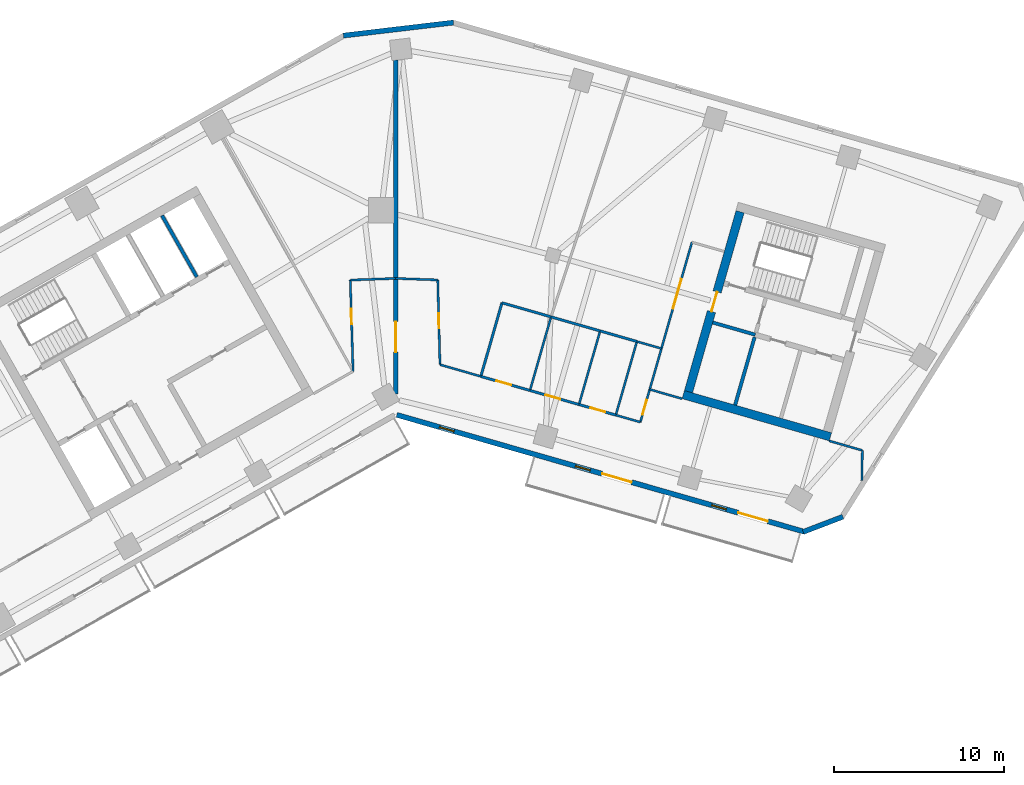
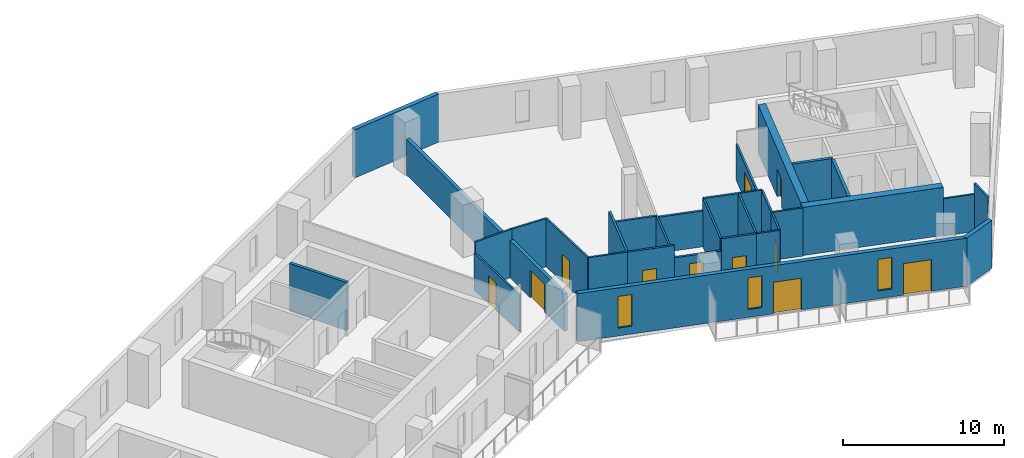
# One storey, part 5 of 9: 33 walls, 11 doors, 3 windows, 14 openings.
"""IFC4 building model written with IfcOpenShell, lengths in metres."""

from ifc_helpers import new_model, si_unit, direction, frame, frame_2d, origin, place, context, subcontext, project, spatial, rectangle, extrude, material, layer, layer_set, type_object, element, fill, save


model = new_model("IFC4")

# Units and contexts
model_context = context("Model", 3, precision=1e-05, world=origin(), true_north=direction((0.0, 1.0)))
body_context = subcontext(model_context, "Body", "Model", "MODEL_VIEW")
ifc_project = project(units=[si_unit("LENGTHUNIT", "METRE"), si_unit("AREAUNIT", "SQUARE_METRE"), si_unit("VOLUMEUNIT", "CUBIC_METRE"), si_unit("PLANEANGLEUNIT", "RADIAN"), si_unit("MASSUNIT", "GRAM", prefix="KILO")], contexts=[model_context])

# Site, building, storey
site_placement = place(None, origin())
site = spatial("IfcSite", under=ifc_project, at=site_placement, CompositionType="ELEMENT")
building_placement = place(site_placement, origin())
building = spatial("IfcBuilding", under=site, at=building_placement, Name="Binnacle Exchange Tower", CompositionType="ELEMENT")
storey_placement = place(building_placement, frame((0.0, 0.0, 198.89990234375)))
storey = spatial("IfcBuildingStorey", under=building, at=storey_placement, Name="L43", CompositionType="ELEMENT", Elevation=198.89990234375)

# Wall
ifc_material_1 = material(Name="Concrete C70/85", Category="concrete")
ifc_layer_1 = layer(ifc_material_1, 0.5)
ifc_layer_set_1 = layer_set([ifc_layer_1], Name="Core wall - outer 500")
wall_type_1 = type_object("IfcWallType", Name="Core wall - outer 500", PredefinedType="SOLIDWALL", material=ifc_layer_set_1)
wall_1_placement = place(storey_placement, frame((16.896728515625, 49.173095703125, 0.0), z_axis=(0.0, 0.0, 1.0), x_axis=(0.96126248289, -0.275634611374, 0.0)))
element("IfcWall", 1, at=wall_1_placement, inside=storey, type_object=wall_type_1, Name="Core wall CRWD1", PredefinedType="SOLIDWALL", context=body_context, shape_type="SweptSolid", body=[
    extrude(rectangle(XDim=9.0, YDim=0.5, at=frame_2d((4.5, 0.0))), origin(), (0.0, 0.0, 1.0), 3.650146484375),
])

# Wall, opening, door
wall_2_placement = place(storey_placement, frame((17.2060546875, 49.344482421875, 0.0), z_axis=(0.0, 0.0, 1.0), x_axis=(0.275632651182, 0.961263044958, 0.0)))
wall_2 = element("IfcWall", 2, at=wall_2_placement, inside=storey, type_object=wall_type_1, Name="Core wall CRWD7", PredefinedType="SOLIDWALL", context=body_context, shape_type="SweptSolid", body=[
    extrude(rectangle(XDim=11.0, YDim=0.5, at=frame_2d((5.5, 0.0))), origin(), (0.0, 0.0, 1.0), 3.650146484375),
])
opening_1_placement = place(wall_2_placement, frame((4.89990234375, 0.0, 0.0)))
opening_1 = element("IfcOpeningElement", 3, at=opening_1_placement, cuts=wall_2, Name="Opening DD5", PredefinedType="OPENING", context=body_context, shape_type="SweptSolid", body=[
    extrude(rectangle(XDim=1.199951171875, YDim=2.10009765625, at=frame_2d((0.60009765625, 1.050048828125))), frame((0.0, 0.260009765625, 0.0), z_axis=(0.0, -1.0, 0.0), x_axis=(1.0, 0.0, 0.0)), (0.0, 0.0, 1.0), 0.52001953125),
])
ifc_material_2 = material(Name="Steel door leaf", Category="steel")
door_type_1 = type_object("IfcDoorType", Name="Fire door 1200", OperationType="NOTDEFINED", PredefinedType="DOOR", material=ifc_material_2)
door_1_placement = place(opening_1_placement, origin())
door_1 = element("IfcDoor", 4, at=door_1_placement, inside=storey, type_object=door_type_1, Name="Vestibule exit door VEST-W", OperationType="SINGLE_SWING_LEFT", OverallHeight=2.10009765625, OverallWidth=1.199951171875, PredefinedType="DOOR", context=body_context, shape_type="SweptSolid", body=[
    extrude(rectangle(XDim=1.199951171875, YDim=2.10009765625, at=frame_2d((0.60009765625, 1.050048828125))), frame((0.0, 0.02490234375, 0.0), z_axis=(0.0, -1.0, 0.0), x_axis=(1.0, 0.0, 0.0)), (0.0, 0.0, 1.0), 0.050048828125),
])
fill(opening_1, door_1)

# Wall, openings, doors, windows
ifc_material_3 = material(Name="Bronze aluminium cladding", Category="aluminium")
ifc_layer_2 = layer(ifc_material_3, 0.300048828125)
ifc_layer_set_2 = layer_set([ifc_layer_2], Name="External wall - spandrel 300")
wall_type_2 = type_object("IfcWallType", Name="External wall - spandrel 300", PredefinedType="STANDARD", material=ifc_layer_set_2)
wall_3_placement = place(storey_placement, frame((24.04248046875, 41.10595703125, 0.0), z_axis=(0.0, 0.0, 1.0), x_axis=(-0.961261693976, 0.275637362661, 0.0)))
wall_3 = element("IfcWall", 5, at=wall_3_placement, inside=storey, type_object=wall_type_2, Name="External wall EW-G02 L43", PredefinedType="STANDARD", context=body_context, shape_type="SweptSolid", body=[
    extrude(rectangle(XDim=24.948486328125, YDim=0.300048828125, at=frame_2d((12.47412109375, 0.0))), origin(), (0.0, 0.0, 1.0), 3.650146484375),
])
opening_2_placement = place(wall_3_placement, frame((21.441162109375, 0.0, 0.60009765625)))
opening_2 = element("IfcOpeningElement", 6, at=opening_2_placement, cuts=wall_3, Name="Opening WS3", PredefinedType="OPENING", context=body_context, shape_type="SweptSolid", body=[
    extrude(rectangle(XDim=0.89990234375, YDim=2.39990234375, at=frame_2d((0.449951171875, 1.199951171875))), frame((0.0, 0.159912109375, 0.0), z_axis=(0.0, -1.0, 0.0), x_axis=(1.0, 0.0, 0.0)), (0.0, 0.0, 1.0), 0.320068359375),
])
opening_3_placement = place(wall_3_placement, frame((13.120849609375, 0.0, 0.60009765625)))
opening_3 = element("IfcOpeningElement", 7, at=opening_3_placement, cuts=wall_3, Name="Opening WS3", PredefinedType="OPENING", context=body_context, shape_type="SweptSolid", body=[
    extrude(rectangle(XDim=0.89990234375, YDim=2.39990234375, at=frame_2d((0.449951171875, 1.199951171875))), frame((0.0, 0.159912109375, 0.0), z_axis=(0.0, -1.0, 0.0), x_axis=(1.0, 0.0, 0.0)), (0.0, 0.0, 1.0), 0.320068359375),
])
opening_4_placement = place(wall_3_placement, frame((10.5908203125, 0.0, 0.0)))
opening_4 = element("IfcOpeningElement", 8, at=opening_4_placement, cuts=wall_3, Name="Opening D-FS11-06", PredefinedType="OPENING", context=body_context, shape_type="SweptSolid", body=[
    extrude(rectangle(XDim=1.800048828125, YDim=2.39990234375, at=frame_2d((0.89990234375, 1.199951171875))), frame((0.0, 0.159912109375, 0.0), z_axis=(0.0, -1.0, 0.0), x_axis=(1.0, 0.0, 0.0)), (0.0, 0.0, 1.0), 0.320068359375),
])
opening_5_placement = place(wall_3_placement, frame((4.80029296875, 0.0, 0.60009765625)))
opening_5 = element("IfcOpeningElement", 9, at=opening_5_placement, cuts=wall_3, Name="Opening WS3", PredefinedType="OPENING", context=body_context, shape_type="SweptSolid", body=[
    extrude(rectangle(XDim=0.89990234375, YDim=2.39990234375, at=frame_2d((0.449951171875, 1.199951171875))), frame((0.0, 0.159912109375, 0.0), z_axis=(0.0, -1.0, 0.0), x_axis=(1.0, 0.0, 0.0)), (0.0, 0.0, 1.0), 0.320068359375),
])
opening_6_placement = place(wall_3_placement, frame((2.270263671875, 0.0, 0.0)))
opening_6 = element("IfcOpeningElement", 10, at=opening_6_placement, cuts=wall_3, Name="Opening D-FS11-07", PredefinedType="OPENING", context=body_context, shape_type="SweptSolid", body=[
    extrude(rectangle(XDim=1.800048828125, YDim=2.39990234375, at=frame_2d((0.89990234375, 1.199951171875))), frame((0.0, 0.159912109375, 0.0), z_axis=(0.0, -1.0, 0.0), x_axis=(1.0, 0.0, 0.0)), (0.0, 0.0, 1.0), 0.320068359375),
])
ifc_material_4 = material(Name="Bronze anodised aluminium frame", Category="aluminium")
door_type_2 = type_object("IfcDoorType", Name="DB DOOR 1800x2400", OperationType="DOUBLE_DOOR_SINGLE_SWING", PredefinedType="DOOR", material=ifc_material_4)
door_2_placement = place(opening_4_placement, origin())
door_2 = element("IfcDoor", 11, at=door_2_placement, inside=storey, type_object=door_type_2, Name="Door D-FS11-06 L43", OperationType="DOUBLE_DOOR_SINGLE_SWING", OverallHeight=2.39990234375, OverallWidth=1.800048828125, PredefinedType="DOOR", context=body_context, shape_type="SweptSolid", body=[
    extrude(rectangle(XDim=1.800048828125, YDim=2.39990234375, at=frame_2d((0.89990234375, 1.199951171875))), frame((0.0, 0.02490234375, 0.0), z_axis=(0.0, -1.0, 0.0), x_axis=(1.0, 0.0, 0.0)), (0.0, 0.0, 1.0), 0.050048828125),
])
fill(opening_4, door_2)
door_3_placement = place(opening_6_placement, origin())
door_3 = element("IfcDoor", 12, at=door_3_placement, inside=storey, type_object=door_type_2, Name="Door D-FS11-07 L43", OperationType="DOUBLE_DOOR_SINGLE_SWING", OverallHeight=2.39990234375, OverallWidth=1.800048828125, PredefinedType="DOOR", context=body_context, shape_type="SweptSolid", body=[
    extrude(rectangle(XDim=1.800048828125, YDim=2.39990234375, at=frame_2d((0.89990234375, 1.199951171875))), frame((0.0, 0.02490234375, 0.0), z_axis=(0.0, -1.0, 0.0), x_axis=(1.0, 0.0, 0.0)), (0.0, 0.0, 1.0), 0.050048828125),
])
fill(opening_6, door_3)
window_type = type_object("IfcWindowType", Name="WS3 WINDOW 900x2400", PartitioningType="SINGLE_PANEL", PredefinedType="WINDOW", material=ifc_material_4)
window_1_placement = place(opening_2_placement, origin())
window_1 = element("IfcWindow", 13, at=window_1_placement, inside=storey, type_object=window_type, Name="Window WS3 L43", OverallHeight=2.39990234375, OverallWidth=0.89990234375, PartitioningType="SINGLE_PANEL", PredefinedType="WINDOW", context=body_context, shape_type="SweptSolid", body=[
    extrude(rectangle(XDim=0.89990234375, YDim=2.39990234375, at=frame_2d((0.449951171875, 1.199951171875))), frame((0.0, 0.030029296875, 0.0), z_axis=(0.0, -1.0, 0.0), x_axis=(1.0, 0.0, 0.0)), (0.0, 0.0, 1.0), 0.06005859375),
])
fill(opening_2, window_1)
window_2_placement = place(opening_3_placement, origin())
window_2 = element("IfcWindow", 14, at=window_2_placement, inside=storey, type_object=window_type, Name="Window WS3 L43", OverallHeight=2.39990234375, OverallWidth=0.89990234375, PartitioningType="SINGLE_PANEL", PredefinedType="WINDOW", context=body_context, shape_type="SweptSolid", body=[
    extrude(rectangle(XDim=0.89990234375, YDim=2.39990234375, at=frame_2d((0.449951171875, 1.199951171875))), frame((0.0, 0.030029296875, 0.0), z_axis=(0.0, -1.0, 0.0), x_axis=(1.0, 0.0, 0.0)), (0.0, 0.0, 1.0), 0.06005859375),
])
fill(opening_3, window_2)
window_3_placement = place(opening_5_placement, origin())
window_3 = element("IfcWindow", 15, at=window_3_placement, inside=storey, type_object=window_type, Name="Window WS3 L43", OverallHeight=2.39990234375, OverallWidth=0.89990234375, PartitioningType="SINGLE_PANEL", PredefinedType="WINDOW", context=body_context, shape_type="SweptSolid", body=[
    extrude(rectangle(XDim=0.89990234375, YDim=2.39990234375, at=frame_2d((0.449951171875, 1.199951171875))), frame((0.0, 0.030029296875, 0.0), z_axis=(0.0, -1.0, 0.0), x_axis=(1.0, 0.0, 0.0)), (0.0, 0.0, 1.0), 0.06005859375),
])
fill(opening_5, window_3)

# Walls
wall_4_placement = place(storey_placement, frame((26.27783203125, 41.996337890625, 0.0), z_axis=(0.0, 0.0, 1.0), x_axis=(-0.933592404159, -0.358336745112, 0.0)))
element("IfcWall", 16, at=wall_4_placement, inside=storey, type_object=wall_type_2, Name="External wall EW-G03 L43", PredefinedType="STANDARD", context=body_context, shape_type="SweptSolid", body=[
    extrude(rectangle(XDim=2.496337890625, YDim=0.300048828125, at=frame_2d((1.248046875, 0.0))), origin(), (0.0, 0.0, 1.0), 3.650146484375),
])
wall_5_placement = place(storey_placement, frame((-3.076171875, 70.27294921875, 0.0), z_axis=(0.0, 0.0, 1.0), x_axis=(0.993067743007, 0.117543429416, 0.0)))
element("IfcWall", 17, at=wall_5_placement, inside=storey, type_object=wall_type_2, Name="External wall EW-G07 L43", PredefinedType="STANDARD", context=body_context, shape_type="SweptSolid", body=[
    extrude(rectangle(XDim=6.515625, YDim=0.300048828125, at=frame_2d((3.2578125, 0.0))), origin(), (0.0, 0.0, 1.0), 3.650146484375),
])

# Wall, opening, door
ifc_material_5 = material(Name="Concrete fire wall C30/37", Category="concrete")
ifc_layer_3 = layer(ifc_material_5, 0.25)
ifc_layer_set_3 = layer_set([ifc_layer_3], Name="Fire wall - compartment 250")
wall_type_3 = type_object("IfcWallType", Name="Fire wall - compartment 250", PredefinedType="PARTITIONING", material=ifc_layer_set_3)
wall_6_placement = place(storey_placement, frame((0.0, 49.218994140625, 0.0), z_axis=(0.0, 0.0, 1.0), x_axis=(0.0, 1.0, 0.0)))
wall_6 = element("IfcWall", 18, at=wall_6_placement, inside=storey, type_object=wall_type_3, Name="Fire Wall W08", PredefinedType="PARTITIONING", context=body_context, shape_type="SweptSolid", body=[
    extrude(rectangle(XDim=6.781005859375, YDim=0.25, at=frame_2d((3.390625, 0.0))), origin(), (0.0, 0.0, 1.0), 2.830078125),
])
opening_7_placement = place(wall_6_placement, frame((2.449951171875, 0.0, 0.0)))
opening_7 = element("IfcOpeningElement", 19, at=opening_7_placement, cuts=wall_6, Name="Opening DL41-09", PredefinedType="OPENING", context=body_context, shape_type="SweptSolid", body=[
    extrude(rectangle(XDim=1.800048828125, YDim=2.10009765625, at=frame_2d((0.89990234375, 1.050048828125))), frame((0.0, 0.135009765625, 0.0), z_axis=(0.0, -1.0, 0.0), x_axis=(1.0, 0.0, 0.0)), (0.0, 0.0, 1.0), 0.27001953125),
])
door_type_3 = type_object("IfcDoorType", Name="Fire door 1800", OperationType="NOTDEFINED", PredefinedType="DOOR", material=ifc_material_2)
door_4_placement = place(opening_7_placement, origin())
door_4 = element("IfcDoor", 20, at=door_4_placement, inside=storey, type_object=door_type_3, Name="Door DL41-09", OperationType="DOUBLE_DOOR_SINGLE_SWING", OverallHeight=2.10009765625, OverallWidth=1.800048828125, PredefinedType="DOOR", context=body_context, shape_type="SweptSolid", body=[
    extrude(rectangle(XDim=1.800048828125, YDim=2.10009765625, at=frame_2d((0.89990234375, 1.050048828125))), frame((0.0, 0.02490234375, 0.0), z_axis=(0.0, -1.0, 0.0), x_axis=(1.0, 0.0, 0.0)), (0.0, 0.0, 1.0), 0.050048828125),
])
fill(opening_7, door_4)

# Walls
wall_7_placement = place(storey_placement, frame((0.0, 56.0, 0.0), z_axis=(0.0, 0.0, 1.0), x_axis=(0.0, 1.0, 0.0)))
element("IfcWall", 21, at=wall_7_placement, inside=storey, type_object=wall_type_3, Name="Fire Wall W09", PredefinedType="PARTITIONING", context=body_context, shape_type="SweptSolid", body=[
    extrude(rectangle(XDim=12.823974609375, YDim=0.25, at=frame_2d((6.412109375, 0.0))), origin(), (0.0, 0.0, 1.0), 2.718017578125),
])
ifc_material_6 = material(Name="Gypsum partition fire rated")
ifc_layer_4 = layer(ifc_material_6, 0.14990234375)
ifc_layer_set_4 = layer_set([ifc_layer_4], Name="Fire-rated partition 150")
wall_type_4 = type_object("IfcWallType", Name="Fire-rated partition 150", PredefinedType="PARTITIONING", material=ifc_layer_set_4)
wall_8_placement = place(storey_placement, frame((5.00390625, 50.242919921875, 0.0), z_axis=(0.0, 0.0, 1.0), x_axis=(0.275838825927, 0.961203902464, 0.0)))
element("IfcWall", 22, at=wall_8_placement, inside=storey, type_object=wall_type_4, Name="Partition W13", PredefinedType="PARTITIONING", context=body_context, shape_type="SweptSolid", body=[
    extrude(rectangle(XDim=4.499755859375, YDim=0.14990234375, at=frame_2d((2.25, 0.0))), origin(), (0.0, 0.0, 1.0), 3.650146484375),
])

# Wall, opening, door
wall_9_placement = place(storey_placement, frame((5.00390625, 50.242919921875, 0.0), z_axis=(0.0, 0.0, 1.0), x_axis=(0.961268664977, -0.27561305073, 0.0)))
wall_9 = element("IfcWall", 23, at=wall_9_placement, inside=storey, type_object=wall_type_4, Name="Partition W14", PredefinedType="PARTITIONING", context=body_context, shape_type="SweptSolid", body=[
    extrude(rectangle(XDim=3.000244140625, YDim=0.14990234375, at=frame_2d((1.5, 0.0))), origin(), (0.0, 0.0, 1.0), 3.650146484375),
])
opening_8_placement = place(wall_9_placement, frame((0.949951171875, 0.0, 0.0)))
opening_8 = element("IfcOpeningElement", 24, at=opening_8_placement, cuts=wall_9, Name="Opening DL41-03", PredefinedType="OPENING", context=body_context, shape_type="SweptSolid", body=[
    extrude(rectangle(XDim=0.89990234375, YDim=2.10009765625, at=frame_2d((0.449951171875, 1.050048828125))), frame((0.0, 0.0849609375, 0.0), z_axis=(0.0, -1.0, 0.0), x_axis=(1.0, 0.0, 0.0)), (0.0, 0.0, 1.0), 0.169921875),
])
door_type_4 = type_object("IfcDoorType", Name="Fire door 900", OperationType="NOTDEFINED", PredefinedType="DOOR", material=ifc_material_2)
door_5_placement = place(opening_8_placement, origin())
door_5 = element("IfcDoor", 25, at=door_5_placement, inside=storey, type_object=door_type_4, Name="Door DL41-03", OperationType="SINGLE_SWING_LEFT", OverallHeight=2.10009765625, OverallWidth=0.89990234375, PredefinedType="DOOR", context=body_context, shape_type="SweptSolid", body=[
    extrude(rectangle(XDim=0.89990234375, YDim=2.10009765625, at=frame_2d((0.449951171875, 1.050048828125))), frame((0.0, 0.02490234375, 0.0), z_axis=(0.0, -1.0, 0.0), x_axis=(1.0, 0.0, 0.0)), (0.0, 0.0, 1.0), 0.050048828125),
])
fill(opening_8, door_5)

# Wall
wall_10_placement = place(storey_placement, frame((6.2451171875, 54.568115234375, 0.0), z_axis=(0.0, 0.0, 1.0), x_axis=(0.961240918172, -0.275709806194, 0.0)))
element("IfcWall", 26, at=wall_10_placement, inside=storey, type_object=wall_type_4, Name="Partition W15", PredefinedType="PARTITIONING", context=body_context, shape_type="SweptSolid", body=[
    extrude(rectangle(XDim=3.0, YDim=0.14990234375, at=frame_2d((1.5, 0.0))), origin(), (0.0, 0.0, 1.0), 2.830078125),
])

# Wall, opening, door
wall_11_placement = place(storey_placement, frame((7.887939453125, 49.416015625, 0.0), z_axis=(0.0, 0.0, 1.0), x_axis=(0.961268664977, -0.27561305073, 0.0)))
wall_11 = element("IfcWall", 27, at=wall_11_placement, inside=storey, type_object=wall_type_4, Name="Partition W17", PredefinedType="PARTITIONING", context=body_context, shape_type="SweptSolid", body=[
    extrude(rectangle(XDim=3.000244140625, YDim=0.14990234375, at=frame_2d((1.5, 0.0))), origin(), (0.0, 0.0, 1.0), 2.718017578125),
])
opening_9_placement = place(wall_11_placement, frame((0.949951171875, 0.0, 0.0)))
opening_9 = element("IfcOpeningElement", 28, at=opening_9_placement, cuts=wall_11, Name="Opening DL41-04", PredefinedType="OPENING", context=body_context, shape_type="SweptSolid", body=[
    extrude(rectangle(XDim=0.89990234375, YDim=2.10009765625, at=frame_2d((0.449951171875, 1.050048828125))), frame((0.0, 0.0849609375, 0.0), z_axis=(0.0, -1.0, 0.0), x_axis=(1.0, 0.0, 0.0)), (0.0, 0.0, 1.0), 0.169921875),
])
door_6_placement = place(opening_9_placement, origin())
door_6 = element("IfcDoor", 29, at=door_6_placement, inside=storey, type_object=door_type_4, Name="Door DL41-04", OperationType="SINGLE_SWING_LEFT", OverallHeight=2.10009765625, OverallWidth=0.89990234375, PredefinedType="DOOR", context=body_context, shape_type="SweptSolid", body=[
    extrude(rectangle(XDim=0.89990234375, YDim=2.10009765625, at=frame_2d((0.449951171875, 1.050048828125))), frame((0.0, 0.02490234375, 0.0), z_axis=(0.0, -1.0, 0.0), x_axis=(1.0, 0.0, 0.0)), (0.0, 0.0, 1.0), 0.050048828125),
])
fill(opening_9, door_6)

# Wall
wall_12_placement = place(storey_placement, frame((9.12890625, 53.740966796875, 0.0), z_axis=(0.0, 0.0, 1.0), x_axis=(0.961243927922, -0.275699312717, 0.0)))
element("IfcWall", 30, at=wall_12_placement, inside=storey, type_object=wall_type_4, Name="Partition W18", PredefinedType="PARTITIONING", context=body_context, shape_type="SweptSolid", body=[
    extrude(rectangle(XDim=2.999267578125, YDim=0.14990234375, at=frame_2d((1.49951171875, 0.0))), origin(), (0.0, 0.0, 1.0), 2.718017578125),
])

# Wall, opening, door
wall_13_placement = place(storey_placement, frame((10.77197265625, 48.589111328125, 0.0), z_axis=(0.0, 0.0, 1.0), x_axis=(0.96127791106, -0.275580800688, 0.0)))
wall_13 = element("IfcWall", 31, at=wall_13_placement, inside=storey, type_object=wall_type_4, Name="Partition W21", PredefinedType="PARTITIONING", context=body_context, shape_type="SweptSolid", body=[
    extrude(rectangle(XDim=2.250244140625, YDim=0.14990234375, at=frame_2d((1.125, 0.0))), origin(), (0.0, 0.0, 1.0), 3.650146484375),
])
opening_10_placement = place(wall_13_placement, frame((0.699951171875, 0.0, 0.0)))
opening_10 = element("IfcOpeningElement", 32, at=opening_10_placement, cuts=wall_13, Name="Opening DL41-05", PredefinedType="OPENING", context=body_context, shape_type="SweptSolid", body=[
    extrude(rectangle(XDim=0.89990234375, YDim=2.10009765625, at=frame_2d((0.449951171875, 1.050048828125))), frame((0.0, 0.0849609375, 0.0), z_axis=(0.0, -1.0, 0.0), x_axis=(1.0, 0.0, 0.0)), (0.0, 0.0, 1.0), 0.169921875),
])
door_7_placement = place(opening_10_placement, origin())
door_7 = element("IfcDoor", 33, at=door_7_placement, inside=storey, type_object=door_type_4, Name="Door DL41-05", OperationType="SINGLE_SWING_RIGHT", OverallHeight=2.10009765625, OverallWidth=0.89990234375, PredefinedType="DOOR", context=body_context, shape_type="SweptSolid", body=[
    extrude(rectangle(XDim=0.89990234375, YDim=2.10009765625, at=frame_2d((0.449951171875, 1.050048828125))), frame((0.0, 0.02490234375, 0.0), z_axis=(0.0, -1.0, 0.0), x_axis=(1.0, 0.0, 0.0)), (0.0, 0.0, 1.0), 0.050048828125),
])
fill(opening_10, door_7)

# Wall
wall_14_placement = place(storey_placement, frame((12.011962890625, 52.9140625, 0.0), z_axis=(0.0, 0.0, 1.0), x_axis=(0.96127791106, -0.275580800688, 0.0)))
element("IfcWall", 34, at=wall_14_placement, inside=storey, type_object=wall_type_4, Name="Partition W22", PredefinedType="PARTITIONING", context=body_context, shape_type="SweptSolid", body=[
    extrude(rectangle(XDim=2.250244140625, YDim=0.14990234375, at=frame_2d((1.125, 0.0))), origin(), (0.0, 0.0, 1.0), 3.650146484375),
])

# Wall, opening, door
ifc_material_7 = material(Name="Gypsum partition")
ifc_layer_5 = layer(ifc_material_7, 0.125)
ifc_layer_set_5 = layer_set([ifc_layer_5], Name="Partition 125")
wall_type_5 = type_object("IfcWallType", Name="Partition 125", PredefinedType="PARTITIONING", material=ifc_layer_set_5)
wall_15_placement = place(storey_placement, frame((-2.669921875, 55.904052734375, 0.0), z_axis=(0.0, 0.0, 1.0), x_axis=(0.030338701418, -0.999539675649, 0.0)))
wall_15 = element("IfcWall", 35, at=wall_15_placement, inside=storey, type_object=wall_type_5, Name="Partition W06", PredefinedType="PARTITIONING", context=body_context, shape_type="SweptSolid", body=[
    extrude(rectangle(XDim=5.367431640625, YDim=0.125, at=frame_2d((2.68359375, 0.0))), origin(), (0.0, 0.0, 1.0), 2.822021484375),
])
opening_11_placement = place(wall_15_placement, frame((1.699951171875, 0.0, 0.0)))
opening_11 = element("IfcOpeningElement", 36, at=opening_11_placement, cuts=wall_15, Name="Opening DL41-02", PredefinedType="OPENING", context=body_context, shape_type="SweptSolid", body=[
    extrude(rectangle(XDim=0.89990234375, YDim=2.10009765625, at=frame_2d((0.449951171875, 1.050048828125))), frame((0.0, 0.072509765625, 0.0), z_axis=(0.0, -1.0, 0.0), x_axis=(1.0, 0.0, 0.0)), (0.0, 0.0, 1.0), 0.14501953125),
])
ifc_material_8 = material(Name="Timber door leaf", Category="wood")
door_type_5 = type_object("IfcDoorType", Name="Door 900", OperationType="NOTDEFINED", PredefinedType="DOOR", material=ifc_material_8)
door_8_placement = place(opening_11_placement, frame((0.89990234375, 0.0, 0.0), z_axis=(0.0, 0.0, 1.0), x_axis=(-1.0, 0.0, 0.0)))
door_8 = element("IfcDoor", 37, at=door_8_placement, inside=storey, type_object=door_type_5, Name="Door DL41-02", OperationType="SINGLE_SWING_RIGHT", OverallHeight=2.10009765625, OverallWidth=0.89990234375, PredefinedType="DOOR", context=body_context, shape_type="SweptSolid", body=[
    extrude(rectangle(XDim=0.89990234375, YDim=2.10009765625, at=frame_2d((0.449951171875, 1.050048828125))), frame((0.0, 0.02490234375, 0.0), z_axis=(0.0, -1.0, 0.0), x_axis=(1.0, 0.0, 0.0)), (0.0, 0.0, 1.0), 0.050048828125),
])
fill(opening_11, door_8)

# Walls
wall_16_placement = place(storey_placement, frame((-2.669921875, 55.904052734375, 0.0), z_axis=(0.0, 0.0, 1.0), x_axis=(0.999354913865, 0.03591317494, 0.0)))
element("IfcWall", 38, at=wall_16_placement, inside=storey, type_object=wall_type_5, Name="Partition W07", PredefinedType="PARTITIONING", context=body_context, shape_type="SweptSolid", body=[
    extrude(rectangle(XDim=2.671630859375, YDim=0.125, at=frame_2d((1.3359375, 0.0))), origin(), (0.0, 0.0, 1.0), 3.650146484375),
])
wall_17_placement = place(storey_placement, frame((0.0, 56.0, 0.0), z_axis=(0.0, 0.0, 1.0), x_axis=(0.999349313684, -0.036068673934, 0.0)))
element("IfcWall", 39, at=wall_17_placement, inside=storey, type_object=wall_type_5, Name="Partition W10", PredefinedType="PARTITIONING", context=body_context, shape_type="SweptSolid", body=[
    extrude(rectangle(XDim=2.470703125, YDim=0.125, at=frame_2d((1.2353515625, 0.0))), origin(), (0.0, 0.0, 1.0), 3.650146484375),
])

# Wall, opening, door
wall_18_placement = place(storey_placement, frame((2.468994140625, 55.910888671875, 0.0), z_axis=(0.0, 0.0, 1.0), x_axis=(0.02651808123, -0.999648333849, 0.0)))
wall_18 = element("IfcWall", 40, at=wall_18_placement, inside=storey, type_object=wall_type_5, Name="Partition W11", PredefinedType="PARTITIONING", context=body_context, shape_type="SweptSolid", body=[
    extrude(rectangle(XDim=4.980712890625, YDim=0.125, at=frame_2d((2.490234375, 0.0))), origin(), (0.0, 0.0, 1.0), 3.650146484375),
])
opening_12_placement = place(wall_18_placement, frame((1.949951171875, 0.0, 0.0)))
opening_12 = element("IfcOpeningElement", 41, at=opening_12_placement, cuts=wall_18, Name="Opening DL41-07", PredefinedType="OPENING", context=body_context, shape_type="SweptSolid", body=[
    extrude(rectangle(XDim=0.89990234375, YDim=2.10009765625, at=frame_2d((0.449951171875, 1.050048828125))), frame((0.0, 0.072509765625, 0.0), z_axis=(0.0, -1.0, 0.0), x_axis=(1.0, 0.0, 0.0)), (0.0, 0.0, 1.0), 0.14501953125),
])
door_9_placement = place(opening_12_placement, origin())
door_9 = element("IfcDoor", 42, at=door_9_placement, inside=storey, type_object=door_type_5, Name="Door DL41-07", OperationType="SINGLE_SWING_LEFT", OverallHeight=2.10009765625, OverallWidth=0.89990234375, PredefinedType="DOOR", context=body_context, shape_type="SweptSolid", body=[
    extrude(rectangle(XDim=0.89990234375, YDim=2.10009765625, at=frame_2d((0.449951171875, 1.050048828125))), frame((0.0, 0.02490234375, 0.0), z_axis=(0.0, -1.0, 0.0), x_axis=(1.0, 0.0, 0.0)), (0.0, 0.0, 1.0), 0.050048828125),
])
fill(opening_12, door_9)

# Walls
wall_19_placement = place(storey_placement, frame((2.60107421875, 50.931884765625, 0.0), z_axis=(0.0, 0.0, 1.0), x_axis=(0.961265528111, -0.275623991092, 0.0)))
element("IfcWall", 43, at=wall_19_placement, inside=storey, type_object=wall_type_5, Name="Partition W12", PredefinedType="PARTITIONING", context=body_context, shape_type="SweptSolid", body=[
    extrude(rectangle(XDim=2.499755859375, YDim=0.125, at=frame_2d((1.25, 0.0))), origin(), (0.0, 0.0, 1.0), 3.650146484375),
])
wall_20_placement = place(storey_placement, frame((7.887939453125, 49.416015625, 0.0), z_axis=(0.0, 0.0, 1.0), x_axis=(0.275803080638, 0.96121415965, 0.0)))
element("IfcWall", 44, at=wall_20_placement, inside=storey, type_object=wall_type_5, Name="Partition W16", PredefinedType="PARTITIONING", context=body_context, shape_type="SweptSolid", body=[
    extrude(rectangle(XDim=4.49951171875, YDim=0.125, at=frame_2d((2.249755859375, 0.0))), origin(), (0.0, 0.0, 1.0), 2.830078125),
])
for number, where, z_axis, x_axis, name in (
    (45, (10.77197265625, 48.589111328125, 0.0), (0.0, 0.0, 1.0), (0.275602532653, 0.961271680637, 0.0), "Partition W20"),
    (46, (12.93505859375, 47.968994140625, 0.0), (0.0, 0.0, 1.0), (0.275602532653, 0.961271680637, 0.0), "Partition W23"),
):
    element("IfcWall", number, at=place(storey_placement, frame(where, z_axis=z_axis, x_axis=x_axis)), inside=storey, type_object=wall_type_5, Name=name, PredefinedType="PARTITIONING", context=body_context, shape_type="SweptSolid", body=[
        extrude(rectangle(XDim=4.499267578125, YDim=0.125, at=frame_2d((2.24951171875, 0.0))), origin(), (0.0, 0.0, 1.0), 3.650146484375),
    ])
wall_21_placement = place(storey_placement, frame((12.93505859375, 47.968994140625, 0.0), z_axis=(0.0, 0.0, 1.0), x_axis=(0.961154610169, -0.276010534854, 0.0)))
element("IfcWall", 47, at=wall_21_placement, inside=storey, type_object=wall_type_5, Name="Partition W24", PredefinedType="PARTITIONING", context=body_context, shape_type="SweptSolid", body=[
    extrude(rectangle(XDim=1.500244140625, YDim=0.125, at=frame_2d((0.75, 0.0))), origin(), (0.0, 0.0, 1.0), 3.650146484375),
])
wall_22_placement = place(storey_placement, frame((14.175048828125, 52.2939453125, 0.0), z_axis=(0.0, 0.0, 1.0), x_axis=(0.961370232732, -0.275258561387, 0.0)))
element("IfcWall", 48, at=wall_22_placement, inside=storey, type_object=wall_type_5, Name="Partition W25", PredefinedType="PARTITIONING", context=body_context, shape_type="SweptSolid", body=[
    extrude(rectangle(XDim=1.499755859375, YDim=0.125, at=frame_2d((0.75, 0.0))), origin(), (0.0, 0.0, 1.0), 3.650146484375),
])

# Wall, opening, door
wall_23_placement = place(storey_placement, frame((14.376953125, 47.554931640625, 0.0), z_axis=(0.0, 0.0, 1.0), x_axis=(0.275446387355, 0.961316434736, 0.0)))
wall_23 = element("IfcWall", 49, at=wall_23_placement, inside=storey, type_object=wall_type_5, Name="Partition W26", PredefinedType="PARTITIONING", context=body_context, shape_type="SweptSolid", body=[
    extrude(rectangle(XDim=2.00048828125, YDim=0.125, at=frame_2d((1.000244140625, 0.0))), origin(), (0.0, 0.0, 1.0), 3.650146484375),
])
opening_13_placement = place(wall_23_placement, frame((0.449951171875, 0.0, 0.0)))
opening_13 = element("IfcOpeningElement", 50, at=opening_13_placement, cuts=wall_23, Name="Opening DL41-06", PredefinedType="OPENING", context=body_context, shape_type="SweptSolid", body=[
    extrude(rectangle(XDim=0.89990234375, YDim=2.10009765625, at=frame_2d((0.449951171875, 1.050048828125))), frame((0.0, 0.072509765625, 0.0), z_axis=(0.0, -1.0, 0.0), x_axis=(1.0, 0.0, 0.0)), (0.0, 0.0, 1.0), 0.14501953125),
])
door_10_placement = place(opening_13_placement, origin())
door_10 = element("IfcDoor", 51, at=door_10_placement, inside=storey, type_object=door_type_5, Name="Door DL41-06", OperationType="SINGLE_SWING_LEFT", OverallHeight=2.10009765625, OverallWidth=0.89990234375, PredefinedType="DOOR", context=body_context, shape_type="SweptSolid", body=[
    extrude(rectangle(XDim=0.89990234375, YDim=2.10009765625, at=frame_2d((0.449951171875, 1.050048828125))), frame((0.0, 0.02490234375, 0.0), z_axis=(0.0, -1.0, 0.0), x_axis=(1.0, 0.0, 0.0)), (0.0, 0.0, 1.0), 0.050048828125),
])
fill(opening_13, door_10)

# Walls
wall_24_placement = place(storey_placement, frame((14.927978515625, 49.47802734375, 0.0), z_axis=(0.0, 0.0, 1.0), x_axis=(0.275598116036, 0.961272946898, 0.0)))
element("IfcWall", 52, at=wall_24_placement, inside=storey, type_object=wall_type_5, Name="Partition W27", PredefinedType="PARTITIONING", context=body_context, shape_type="SweptSolid", body=[
    extrude(rectangle(XDim=2.5, YDim=0.125, at=frame_2d((1.25, 0.0))), origin(), (0.0, 0.0, 1.0), 3.650146484375),
])
wall_25_placement = place(storey_placement, frame((14.927978515625, 49.47802734375, 0.0), z_axis=(0.0, 0.0, 1.0), x_axis=(0.961243778232, -0.27569983462, 0.0)))
element("IfcWall", 53, at=wall_25_placement, inside=storey, type_object=wall_type_5, Name="Partition W28", PredefinedType="PARTITIONING", context=body_context, shape_type="SweptSolid", body=[
    extrude(rectangle(XDim=1.9765625, YDim=0.125, at=frame_2d((0.98828125, 0.0))), origin(), (0.0, 0.0, 1.0), 3.650146484375),
])

# Wall, opening, door
wall_26_placement = place(storey_placement, frame((15.616943359375, 51.881103515625, 0.0), z_axis=(0.0, 0.0, 1.0), x_axis=(0.275703259795, 0.961242795832, 0.0)))
wall_26 = element("IfcWall", 54, at=wall_26_placement, inside=storey, type_object=wall_type_5, Name="Partition W29", PredefinedType="PARTITIONING", context=body_context, shape_type="SweptSolid", body=[
    extrude(rectangle(XDim=6.499755859375, YDim=0.125, at=frame_2d((3.25, 0.0))), origin(), (0.0, 0.0, 1.0), 2.718017578125),
])
opening_14_placement = place(wall_26_placement, frame((2.449951171875, 0.0, 0.0)))
opening_14 = element("IfcOpeningElement", 55, at=opening_14_placement, cuts=wall_26, Name="Opening DL41-08", PredefinedType="OPENING", context=body_context, shape_type="SweptSolid", body=[
    extrude(rectangle(XDim=1.800048828125, YDim=2.10009765625, at=frame_2d((0.89990234375, 1.050048828125))), frame((0.0, 0.072509765625, 0.0), z_axis=(0.0, -1.0, 0.0), x_axis=(1.0, 0.0, 0.0)), (0.0, 0.0, 1.0), 0.14501953125),
])
door_type_6 = type_object("IfcDoorType", Name="Double door 1800", OperationType="NOTDEFINED", PredefinedType="DOOR", material=ifc_material_8)
door_11_placement = place(opening_14_placement, origin())
door_11 = element("IfcDoor", 56, at=door_11_placement, inside=storey, type_object=door_type_6, Name="Door DL41-08", OperationType="DOUBLE_DOOR_SINGLE_SWING", OverallHeight=2.10009765625, OverallWidth=1.800048828125, PredefinedType="DOOR", context=body_context, shape_type="SweptSolid", body=[
    extrude(rectangle(XDim=1.800048828125, YDim=2.10009765625, at=frame_2d((0.89990234375, 1.050048828125))), frame((0.0, 0.02490234375, 0.0), z_axis=(0.0, -1.0, 0.0), x_axis=(1.0, 0.0, 0.0)), (0.0, 0.0, 1.0), 0.050048828125),
])
fill(opening_14, door_11)

# Walls
wall_27_placement = place(storey_placement, frame((25.47900390625, 46.451904296875, 0.0), z_axis=(0.0, 0.0, 1.0), x_axis=(0.961245725795, -0.275693044238, 0.0)))
element("IfcWall", 57, at=wall_27_placement, inside=storey, type_object=wall_type_5, Name="Partition W31", PredefinedType="PARTITIONING", context=body_context, shape_type="SweptSolid", body=[
    extrude(rectangle(XDim=2.0234375, YDim=0.125, at=frame_2d((1.01171875, 0.0))), origin(), (0.0, 0.0, 1.0), 2.830078125),
])
wall_28_placement = place(storey_placement, frame((27.39111328125, 44.116943359375, 0.0), z_axis=(0.0, 0.0, 1.0), x_axis=(0.018543314717, 0.999828057958, 0.0)))
element("IfcWall", 58, at=wall_28_placement, inside=storey, type_object=wall_type_5, Name="Partition W32", PredefinedType="PARTITIONING", context=body_context, shape_type="SweptSolid", body=[
    extrude(rectangle(XDim=1.77734375, YDim=0.125, at=frame_2d((0.888671875, 0.0))), origin(), (0.0, 0.0, 1.0), 3.650146484375),
])
ifc_material_9 = material(Name="Masonry block wall", Category="masonry")
ifc_layer_6 = layer(ifc_material_9, 0.199951171875)
ifc_layer_set_6 = layer_set([ifc_layer_6], Name="Riser wall 200")
wall_type_6 = type_object("IfcWallType", Name="Riser wall 200", PredefinedType="SOLIDWALL", material=ifc_layer_set_6)
wall_29_placement = place(storey_placement, frame((18.631591796875, 53.4091796875, 0.0), z_axis=(0.0, 0.0, 1.0), x_axis=(0.961247078216, -0.275688328772, 0.0)))
element("IfcWall", 59, at=wall_29_placement, inside=storey, type_object=wall_type_6, Name="Core wall CRWD2", PredefinedType="SOLIDWALL", context=body_context, shape_type="SweptSolid", body=[
    extrude(rectangle(XDim=2.60009765625, YDim=0.199951171875, at=frame_2d((1.300048828125, 0.0))), origin(), (0.0, 0.0, 1.0), 3.650146484375),
])
wall_30_placement = place(storey_placement, frame((19.945556640625, 48.55908203125, 0.0), z_axis=(0.0, 0.0, 1.0), x_axis=(0.275668905258, 0.961252648721, 0.0)))
element("IfcWall", 60, at=wall_30_placement, inside=storey, type_object=wall_type_6, Name="Core wall CRWD8", PredefinedType="SOLIDWALL", context=body_context, shape_type="SweptSolid", body=[
    extrude(rectangle(XDim=4.150146484375, YDim=0.199951171875, at=frame_2d((2.0751953125, 0.0))), origin(), (0.0, 0.0, 1.0), 3.650146484375),
])
ifc_layer_7 = layer(ifc_material_9, 0.199951171875)
ifc_layer_set_7 = layer_set([ifc_layer_7], Name="Shaft wall 200")
wall_type_7 = type_object("IfcWallType", Name="Shaft wall 200", PredefinedType="SOLIDWALL", material=ifc_layer_set_7)
wall_31_placement = place(storey_placement, frame((-13.73193359375, 59.698974609375, 0.0), z_axis=(0.0, 0.0, 1.0), x_axis=(0.492396453737, -0.870371031427, 0.0)))
element("IfcWall", 61, at=wall_31_placement, inside=storey, type_object=wall_type_7, Name="Core wall CRWC21", PredefinedType="SOLIDWALL", context=body_context, shape_type="SweptSolid", body=[
    extrude(rectangle(XDim=4.14990234375, YDim=0.199951171875, at=frame_2d((2.074951171875, 0.0))), origin(), (0.0, 0.0, 1.0), 3.650146484375),
])

save(model, "model.ifc")
